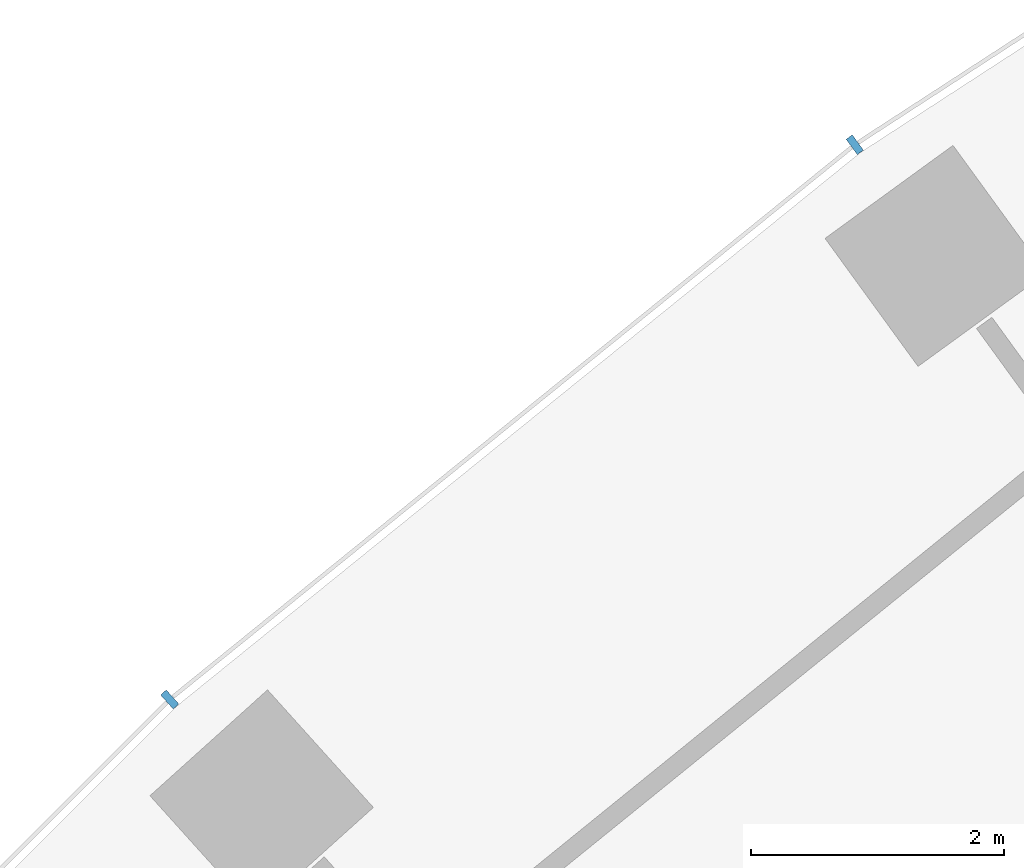
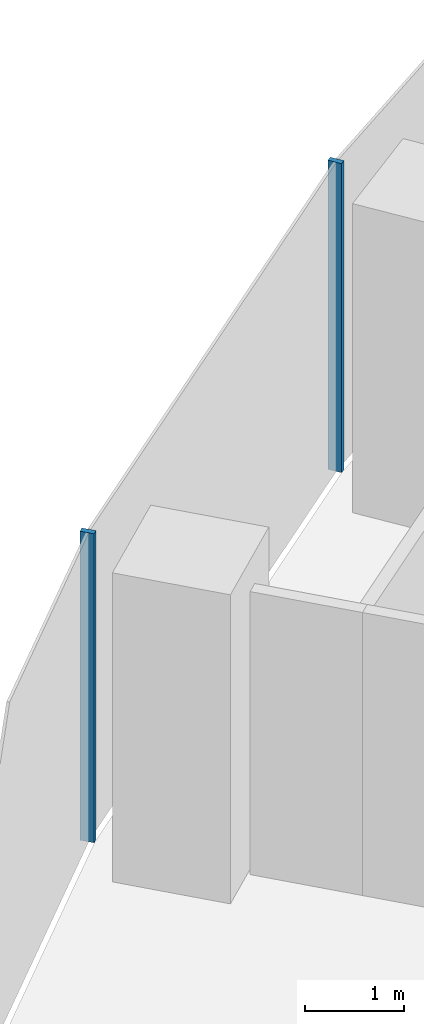
# One storey, part 4 of 21: 2 members, 1 element without a shape of its own.
"""IFC4 building model written with IfcOpenShell, lengths in metres."""

from ifc_helpers import new_model, si_unit, direction, frame, origin, origin_2d, place, context, subcontext, project, spatial, rectangle, extrude, material, layer, layer_set, material_profile, profile_set, type_object, element, aggregate, save


model = new_model("IFC4")

# Units and contexts
model_context = context("Model", 3, precision=1e-05, world=origin(), true_north=direction((0.0, 1.0)))
body_context = subcontext(model_context, "Body", "Model", "MODEL_VIEW")
ifc_project = project(units=[si_unit("LENGTHUNIT", "METRE"), si_unit("AREAUNIT", "SQUARE_METRE"), si_unit("VOLUMEUNIT", "CUBIC_METRE"), si_unit("PLANEANGLEUNIT", "RADIAN"), si_unit("MASSUNIT", "GRAM", prefix="KILO")], contexts=[model_context])

# Site, building, storey
site_placement = place(None, origin())
site = spatial("IfcSite", under=ifc_project, at=site_placement, CompositionType="ELEMENT")
building_placement = place(site_placement, origin())
building = spatial("IfcBuilding", under=site, at=building_placement, Name="Stone Belt Terrace Tower", CompositionType="ELEMENT")
storey_placement = place(building_placement, frame((0.0, 0.0, 45.199951171875)))
storey = spatial("IfcBuildingStorey", under=building, at=storey_placement, Name="L10", CompositionType="ELEMENT", Elevation=45.199951171875)

# Curtain wall, members
ifc_material = material(Name="Aluminium 6063-T6 anodised frame", Category="aluminium")
ifc_layer = layer(ifc_material, 0.14990234375)
ifc_layer_set = layer_set([ifc_layer], Name="CW-A unitised convex-face curtain wall")
curtain_wall_type = type_object("IfcCurtainWallType", Name="CW-A unitised convex-face curtain wall", PredefinedType="NOTDEFINED", material=ifc_layer_set)
curtain_wall_placement = place(storey_placement, origin())
curtain_wall = element("IfcCurtainWall", 1, at=curtain_wall_placement, inside=storey, type_object=curtain_wall_type, Name="CW-A convex face L10", PredefinedType="NOTDEFINED")
ifc_material_profile = material_profile(ifc_material, rectangle(XDim=0.14990234375, YDim=0.06005859375, at=origin_2d()), Name="Aluminium 6063-T6 60x150")
ifc_profile_set = profile_set([ifc_material_profile], Name="Aluminium 6063-T6 anodised frame")
member_type = type_object("IfcMemberType", Name="CW-A mullion 60 x 150", PredefinedType="MULLION", material=ifc_profile_set)
member_1_placement = place(storey_placement, frame((-39.1318359375, 53.8603515625, 0.0), z_axis=(0.0, 0.0, 1.0), x_axis=(0.587785252292, -0.809016994375, 0.0)))
member_1 = element("IfcMember", 2, at=member_1_placement, type_object=member_type, Name="CW-A mullion 16", PredefinedType="MULLION", context=body_context, shape_type="SweptSolid", body=[
    extrude(rectangle(XDim=0.14990234375, YDim=0.06005859375, at=origin_2d()), origin(), (0.0, 0.0, 1.0), 3.800048828125),
])
member_2_placement = place(storey_placement, frame((-44.54736328125, 49.474853515625, 0.0), z_axis=(0.0, 0.0, 1.0), x_axis=(0.669130606359, -0.743144825477, 0.0)))
member_2 = element("IfcMember", 3, at=member_2_placement, type_object=member_type, Name="CW-A mullion 17", PredefinedType="MULLION", context=body_context, shape_type="SweptSolid", body=[
    extrude(rectangle(XDim=0.14990234375, YDim=0.06005859375, at=origin_2d()), origin(), (0.0, 0.0, 1.0), 3.800048828125),
])
aggregate(curtain_wall, [member_1, member_2])

save(model, "model.ifc")
